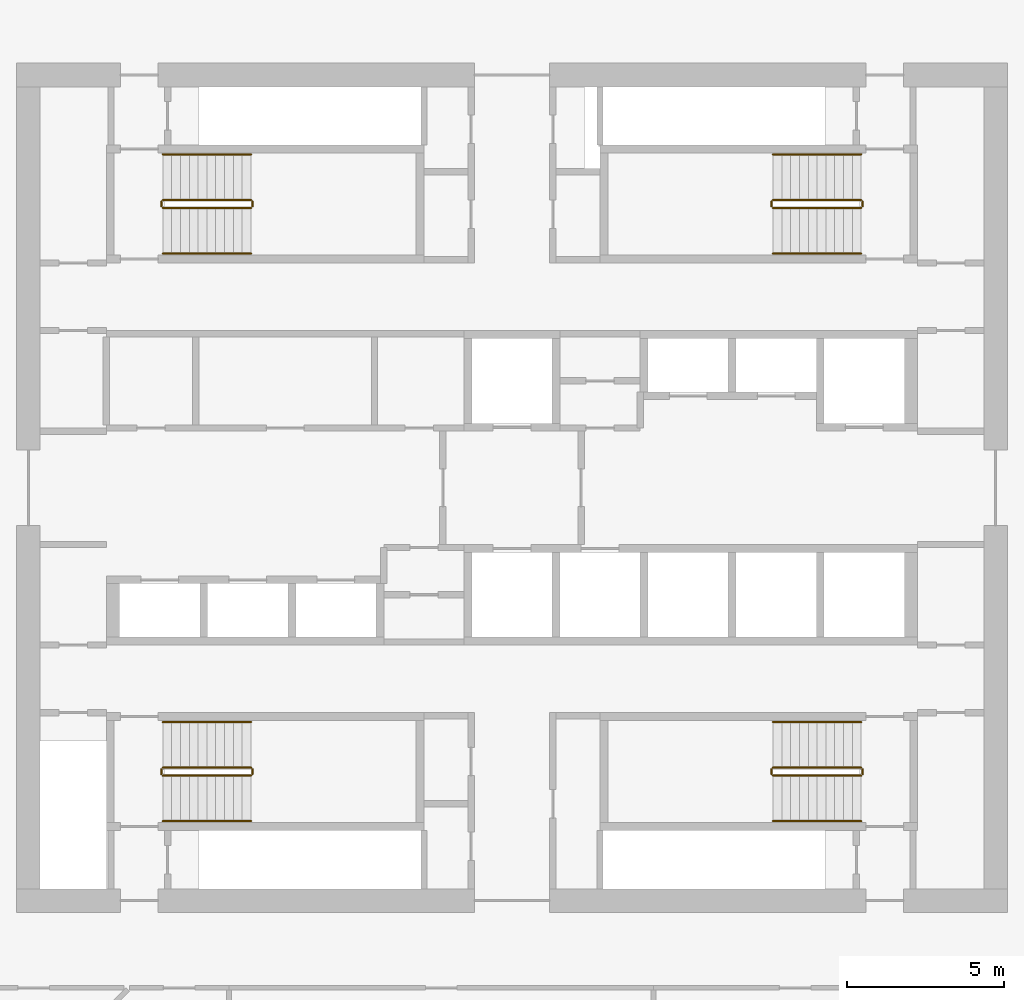
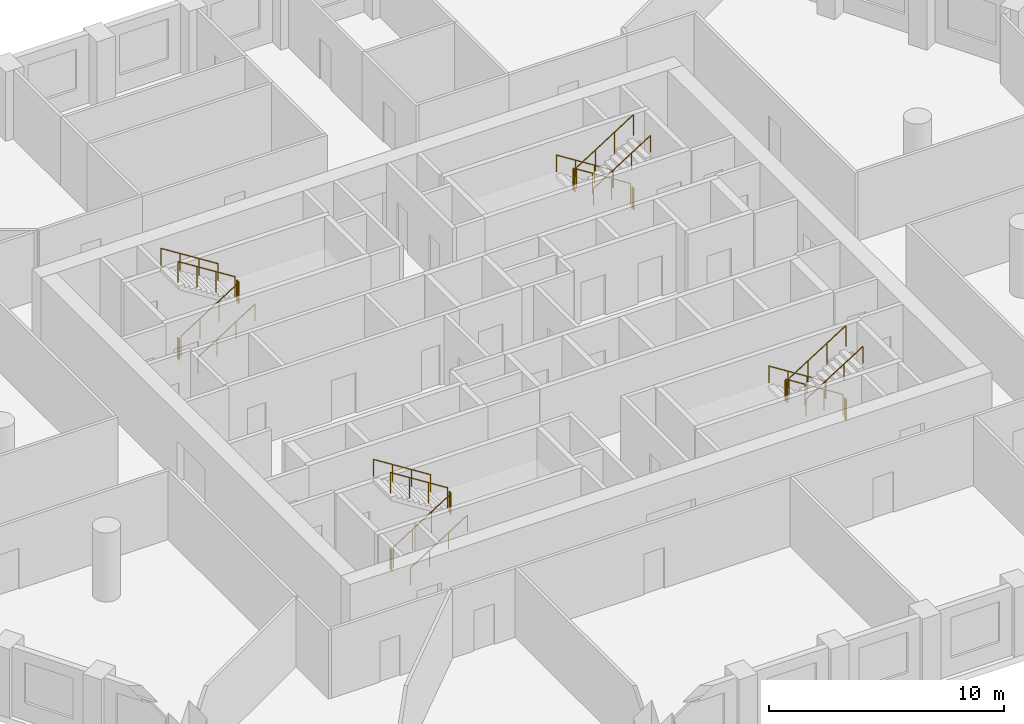
# One storey, part 9 of 9: 24 railings.
"""IFC4 building model written with IfcOpenShell, lengths in metres."""

from ifc_helpers import new_model, si_unit, direction, frame, origin, origin_2d, place, context, subcontext, project, spatial, circle, extrude, material, type_object, element, save


model = new_model("IFC4")

# Units and contexts
model_context = context("Model", 3, precision=1e-05, world=origin(), true_north=direction((0.0, 1.0)))
body_context = subcontext(model_context, "Body", "Model", "MODEL_VIEW")
ifc_project = project(units=[si_unit("LENGTHUNIT", "METRE"), si_unit("AREAUNIT", "SQUARE_METRE"), si_unit("VOLUMEUNIT", "CUBIC_METRE"), si_unit("PLANEANGLEUNIT", "RADIAN"), si_unit("MASSUNIT", "GRAM", prefix="KILO")], contexts=[model_context])

# Site, building, storey
site_placement = place(None, origin())
site = spatial("IfcSite", under=ifc_project, at=site_placement, CompositionType="ELEMENT")
building_placement = place(site_placement, origin())
building = spatial("IfcBuilding", under=site, at=building_placement, Name="Dhurran Vertical Campus", CompositionType="ELEMENT")
storey_placement = place(building_placement, frame((0.0, 0.0, 159.89990234375)))
storey = spatial("IfcBuildingStorey", under=building, at=storey_placement, Name="L39", CompositionType="ELEMENT", Elevation=159.89990234375)

# Railings
ifc_material_1 = material(Name="Stainless steel balustrade", Category="steel")
railing_type_1 = type_object("IfcRailingType", Name="co-RL-GUARD-1100", PredefinedType="GUARDRAIL", material=ifc_material_1)
railing_1_placement = place(storey_placement, frame((-11.10009765625, 8.89990234375, 0.177490234375)))
element("IfcRailing", 1, at=railing_1_placement, inside=storey, type_object=railing_type_1, Name="L39 ST1 stair guard 1", PredefinedType="GUARDRAIL", context=body_context, shape_type="SweptSolid", body=[
    extrude(circle(Radius=0.02392578125, at=origin_2d()), frame((0.0, 0.0, 1.076171875), z_axis=(0.844908973607, 0.0, 0.534910110503), x_axis=(0.0, 1.0, 0.0)), (0.0, 0.0, 1.0), 3.31396484375),
    extrude(circle(Radius=0.02099609375, at=origin_2d()), origin(), (0.0, 0.0, 1.0), 1.052001953125),
    extrude(circle(Radius=0.02099609375, at=origin_2d()), frame((0.933349609375, 0.0, 0.5908203125)), (0.0, 0.0, 1.0), 1.052001953125),
    extrude(circle(Radius=0.02099609375, at=origin_2d()), frame((1.86669921875, 0.0, 1.181884765625)), (0.0, 0.0, 1.0), 1.052001953125),
    extrude(circle(Radius=0.02099609375, at=origin_2d()), frame((2.800048828125, 0.0, 1.772705078125)), (0.0, 0.0, 1.0), 1.052001953125),
])
railing_2_placement = place(storey_placement, frame((-8.25, 8.949951171875, 1.9501953125)))
element("IfcRailing", 2, at=railing_2_placement, inside=storey, type_object=railing_type_1, Name="L39 ST1 stair guard 2", PredefinedType="GUARDRAIL", context=body_context, shape_type="SweptSolid", body=[
    extrude(circle(Radius=0.02392578125, at=origin_2d()), frame((0.0, 0.0, 1.076171875), z_axis=(0.0, 1.0, 0.0), x_axis=(-1.0, 0.0, 0.0)), (0.0, 0.0, 1.0), 0.150146484375),
    extrude(circle(Radius=0.02099609375, at=origin_2d()), origin(), (0.0, 0.0, 1.0), 1.052001953125),
    extrude(circle(Radius=0.02099609375, at=origin_2d()), frame((0.0, 0.150146484375, 0.0)), (0.0, 0.0, 1.0), 1.052001953125),
])
railing_3_placement = place(storey_placement, frame((-8.300048828125, 9.14990234375, 2.12744140625)))
element("IfcRailing", 3, at=railing_3_placement, inside=storey, type_object=railing_type_1, Name="L39 ST1 stair guard 3", PredefinedType="GUARDRAIL", context=body_context, shape_type="SweptSolid", body=[
    extrude(circle(Radius=0.02392578125, at=origin_2d()), frame((0.0, 0.0, 1.076171875), z_axis=(-0.844908973607, 0.0, 0.534910110503), x_axis=(0.0, -1.0, 0.0)), (0.0, 0.0, 1.0), 3.31396484375),
    extrude(circle(Radius=0.02099609375, at=origin_2d()), origin(), (0.0, 0.0, 1.0), 1.052001953125),
    extrude(circle(Radius=0.02099609375, at=origin_2d()), frame((-0.933349609375, 0.0, 0.5908203125)), (0.0, 0.0, 1.0), 1.052001953125),
    extrude(circle(Radius=0.02099609375, at=origin_2d()), frame((-1.86669921875, 0.0, 1.181884765625)), (0.0, 0.0, 1.0), 1.052001953125),
    extrude(circle(Radius=0.02099609375, at=origin_2d()), frame((-2.800048828125, 0.0, 1.772705078125)), (0.0, 0.0, 1.0), 1.052001953125),
])
railing_4_placement = place(storey_placement, frame((-11.14990234375, 8.949951171875, 0.0)))
element("IfcRailing", 4, at=railing_4_placement, inside=storey, type_object=railing_type_1, Name="L39 ST1 stair guard 4", PredefinedType="GUARDRAIL", context=body_context, shape_type="SweptSolid", body=[
    extrude(circle(Radius=0.02392578125, at=origin_2d()), frame((0.0, 0.0, 1.076171875), z_axis=(0.0, 1.0, 0.0), x_axis=(-1.0, 0.0, 0.0)), (0.0, 0.0, 1.0), 0.150146484375),
    extrude(circle(Radius=0.02099609375, at=origin_2d()), origin(), (0.0, 0.0, 1.0), 1.052001953125),
    extrude(circle(Radius=0.02099609375, at=origin_2d()), frame((0.0, 0.150146484375, 0.0)), (0.0, 0.0, 1.0), 1.052001953125),
])
railing_5_placement = place(storey_placement, frame((11.10009765625, 9.14990234375, 0.177490234375)))
element("IfcRailing", 5, at=railing_5_placement, inside=storey, type_object=railing_type_1, Name="L39 ST2 stair guard 1", PredefinedType="GUARDRAIL", context=body_context, shape_type="SweptSolid", body=[
    extrude(circle(Radius=0.02392578125, at=origin_2d()), frame((0.0, 0.0, 1.076171875), z_axis=(-0.844908973607, 0.0, 0.534910110503), x_axis=(0.0, -1.0, 0.0)), (0.0, 0.0, 1.0), 3.31396484375),
    extrude(circle(Radius=0.02099609375, at=origin_2d()), origin(), (0.0, 0.0, 1.0), 1.052001953125),
    extrude(circle(Radius=0.02099609375, at=origin_2d()), frame((-0.933349609375, 0.0, 0.5908203125)), (0.0, 0.0, 1.0), 1.052001953125),
    extrude(circle(Radius=0.02099609375, at=origin_2d()), frame((-1.86669921875, 0.0, 1.181884765625)), (0.0, 0.0, 1.0), 1.052001953125),
    extrude(circle(Radius=0.02099609375, at=origin_2d()), frame((-2.800048828125, 0.0, 1.772705078125)), (0.0, 0.0, 1.0), 1.052001953125),
])
railing_6_placement = place(storey_placement, frame((8.25, 9.10009765625, 1.9501953125)))
element("IfcRailing", 6, at=railing_6_placement, inside=storey, type_object=railing_type_1, Name="L39 ST2 stair guard 2", PredefinedType="GUARDRAIL", context=body_context, shape_type="SweptSolid", body=[
    extrude(circle(Radius=0.02392578125, at=origin_2d()), frame((0.0, 0.0, 1.076171875), z_axis=(0.0, -1.0, 0.0), x_axis=(1.0, 0.0, 0.0)), (0.0, 0.0, 1.0), 0.150146484375),
    extrude(circle(Radius=0.02099609375, at=origin_2d()), origin(), (0.0, 0.0, 1.0), 1.052001953125),
    extrude(circle(Radius=0.02099609375, at=origin_2d()), frame((0.0, -0.150146484375, 0.0)), (0.0, 0.0, 1.0), 1.052001953125),
])
railing_7_placement = place(storey_placement, frame((8.300048828125, 8.89990234375, 2.12744140625)))
element("IfcRailing", 7, at=railing_7_placement, inside=storey, type_object=railing_type_1, Name="L39 ST2 stair guard 3", PredefinedType="GUARDRAIL", context=body_context, shape_type="SweptSolid", body=[
    extrude(circle(Radius=0.02392578125, at=origin_2d()), frame((0.0, 0.0, 1.076171875), z_axis=(0.844908973607, 0.0, 0.534910110503), x_axis=(0.0, 1.0, 0.0)), (0.0, 0.0, 1.0), 3.31396484375),
    extrude(circle(Radius=0.02099609375, at=origin_2d()), origin(), (0.0, 0.0, 1.0), 1.052001953125),
    extrude(circle(Radius=0.02099609375, at=origin_2d()), frame((0.933349609375, 0.0, 0.5908203125)), (0.0, 0.0, 1.0), 1.052001953125),
    extrude(circle(Radius=0.02099609375, at=origin_2d()), frame((1.86669921875, 0.0, 1.181884765625)), (0.0, 0.0, 1.0), 1.052001953125),
    extrude(circle(Radius=0.02099609375, at=origin_2d()), frame((2.800048828125, 0.0, 1.772705078125)), (0.0, 0.0, 1.0), 1.052001953125),
])
railing_8_placement = place(storey_placement, frame((11.14990234375, 9.10009765625, 0.0)))
element("IfcRailing", 8, at=railing_8_placement, inside=storey, type_object=railing_type_1, Name="L39 ST2 stair guard 4", PredefinedType="GUARDRAIL", context=body_context, shape_type="SweptSolid", body=[
    extrude(circle(Radius=0.02392578125, at=origin_2d()), frame((0.0, 0.0, 1.076171875), z_axis=(0.0, -1.0, 0.0), x_axis=(1.0, 0.0, 0.0)), (0.0, 0.0, 1.0), 0.150146484375),
    extrude(circle(Radius=0.02099609375, at=origin_2d()), origin(), (0.0, 0.0, 1.0), 1.052001953125),
    extrude(circle(Radius=0.02099609375, at=origin_2d()), frame((0.0, -0.150146484375, 0.0)), (0.0, 0.0, 1.0), 1.052001953125),
])
railing_9_placement = place(storey_placement, frame((-11.10009765625, -9.14990234375, 0.177490234375)))
element("IfcRailing", 9, at=railing_9_placement, inside=storey, type_object=railing_type_1, Name="L39 ST3 stair guard 1", PredefinedType="GUARDRAIL", context=body_context, shape_type="SweptSolid", body=[
    extrude(circle(Radius=0.02392578125, at=origin_2d()), frame((0.0, 0.0, 1.076171875), z_axis=(0.844908973607, 0.0, 0.534910110503), x_axis=(0.0, 1.0, 0.0)), (0.0, 0.0, 1.0), 3.31396484375),
    extrude(circle(Radius=0.02099609375, at=origin_2d()), origin(), (0.0, 0.0, 1.0), 1.052001953125),
    extrude(circle(Radius=0.02099609375, at=origin_2d()), frame((0.933349609375, 0.0, 0.5908203125)), (0.0, 0.0, 1.0), 1.052001953125),
    extrude(circle(Radius=0.02099609375, at=origin_2d()), frame((1.86669921875, 0.0, 1.181884765625)), (0.0, 0.0, 1.0), 1.052001953125),
    extrude(circle(Radius=0.02099609375, at=origin_2d()), frame((2.800048828125, 0.0, 1.772705078125)), (0.0, 0.0, 1.0), 1.052001953125),
])
railing_10_placement = place(storey_placement, frame((-8.25, -9.10009765625, 1.9501953125)))
element("IfcRailing", 10, at=railing_10_placement, inside=storey, type_object=railing_type_1, Name="L39 ST3 stair guard 2", PredefinedType="GUARDRAIL", context=body_context, shape_type="SweptSolid", body=[
    extrude(circle(Radius=0.02392578125, at=origin_2d()), frame((0.0, 0.0, 1.076171875), z_axis=(0.0, 1.0, 0.0), x_axis=(-1.0, 0.0, 0.0)), (0.0, 0.0, 1.0), 0.150146484375),
    extrude(circle(Radius=0.02099609375, at=origin_2d()), origin(), (0.0, 0.0, 1.0), 1.052001953125),
    extrude(circle(Radius=0.02099609375, at=origin_2d()), frame((0.0, 0.150146484375, 0.0)), (0.0, 0.0, 1.0), 1.052001953125),
])
railing_11_placement = place(storey_placement, frame((-8.300048828125, -8.89990234375, 2.12744140625)))
element("IfcRailing", 11, at=railing_11_placement, inside=storey, type_object=railing_type_1, Name="L39 ST3 stair guard 3", PredefinedType="GUARDRAIL", context=body_context, shape_type="SweptSolid", body=[
    extrude(circle(Radius=0.02392578125, at=origin_2d()), frame((0.0, 0.0, 1.076171875), z_axis=(-0.844908973607, 0.0, 0.534910110503), x_axis=(0.0, -1.0, 0.0)), (0.0, 0.0, 1.0), 3.31396484375),
    extrude(circle(Radius=0.02099609375, at=origin_2d()), origin(), (0.0, 0.0, 1.0), 1.052001953125),
    extrude(circle(Radius=0.02099609375, at=origin_2d()), frame((-0.933349609375, 0.0, 0.5908203125)), (0.0, 0.0, 1.0), 1.052001953125),
    extrude(circle(Radius=0.02099609375, at=origin_2d()), frame((-1.86669921875, 0.0, 1.181884765625)), (0.0, 0.0, 1.0), 1.052001953125),
    extrude(circle(Radius=0.02099609375, at=origin_2d()), frame((-2.800048828125, 0.0, 1.772705078125)), (0.0, 0.0, 1.0), 1.052001953125),
])
railing_12_placement = place(storey_placement, frame((-11.14990234375, -9.10009765625, 0.0)))
element("IfcRailing", 12, at=railing_12_placement, inside=storey, type_object=railing_type_1, Name="L39 ST3 stair guard 4", PredefinedType="GUARDRAIL", context=body_context, shape_type="SweptSolid", body=[
    extrude(circle(Radius=0.02392578125, at=origin_2d()), frame((0.0, 0.0, 1.076171875), z_axis=(0.0, 1.0, 0.0), x_axis=(-1.0, 0.0, 0.0)), (0.0, 0.0, 1.0), 0.150146484375),
    extrude(circle(Radius=0.02099609375, at=origin_2d()), origin(), (0.0, 0.0, 1.0), 1.052001953125),
    extrude(circle(Radius=0.02099609375, at=origin_2d()), frame((0.0, 0.150146484375, 0.0)), (0.0, 0.0, 1.0), 1.052001953125),
])
railing_13_placement = place(storey_placement, frame((11.10009765625, -8.89990234375, 0.177490234375)))
element("IfcRailing", 13, at=railing_13_placement, inside=storey, type_object=railing_type_1, Name="L39 ST4 stair guard 1", PredefinedType="GUARDRAIL", context=body_context, shape_type="SweptSolid", body=[
    extrude(circle(Radius=0.02392578125, at=origin_2d()), frame((0.0, 0.0, 1.076171875), z_axis=(-0.844908973607, 0.0, 0.534910110503), x_axis=(0.0, -1.0, 0.0)), (0.0, 0.0, 1.0), 3.31396484375),
    extrude(circle(Radius=0.02099609375, at=origin_2d()), origin(), (0.0, 0.0, 1.0), 1.052001953125),
    extrude(circle(Radius=0.02099609375, at=origin_2d()), frame((-0.933349609375, 0.0, 0.5908203125)), (0.0, 0.0, 1.0), 1.052001953125),
    extrude(circle(Radius=0.02099609375, at=origin_2d()), frame((-1.86669921875, 0.0, 1.181884765625)), (0.0, 0.0, 1.0), 1.052001953125),
    extrude(circle(Radius=0.02099609375, at=origin_2d()), frame((-2.800048828125, 0.0, 1.772705078125)), (0.0, 0.0, 1.0), 1.052001953125),
])
railing_14_placement = place(storey_placement, frame((8.25, -8.949951171875, 1.9501953125)))
element("IfcRailing", 14, at=railing_14_placement, inside=storey, type_object=railing_type_1, Name="L39 ST4 stair guard 2", PredefinedType="GUARDRAIL", context=body_context, shape_type="SweptSolid", body=[
    extrude(circle(Radius=0.02392578125, at=origin_2d()), frame((0.0, 0.0, 1.076171875), z_axis=(0.0, -1.0, 0.0), x_axis=(1.0, 0.0, 0.0)), (0.0, 0.0, 1.0), 0.150146484375),
    extrude(circle(Radius=0.02099609375, at=origin_2d()), origin(), (0.0, 0.0, 1.0), 1.052001953125),
    extrude(circle(Radius=0.02099609375, at=origin_2d()), frame((0.0, -0.150146484375, 0.0)), (0.0, 0.0, 1.0), 1.052001953125),
])
railing_15_placement = place(storey_placement, frame((8.300048828125, -9.14990234375, 2.12744140625)))
element("IfcRailing", 15, at=railing_15_placement, inside=storey, type_object=railing_type_1, Name="L39 ST4 stair guard 3", PredefinedType="GUARDRAIL", context=body_context, shape_type="SweptSolid", body=[
    extrude(circle(Radius=0.02392578125, at=origin_2d()), frame((0.0, 0.0, 1.076171875), z_axis=(0.844908973607, 0.0, 0.534910110503), x_axis=(0.0, 1.0, 0.0)), (0.0, 0.0, 1.0), 3.31396484375),
    extrude(circle(Radius=0.02099609375, at=origin_2d()), origin(), (0.0, 0.0, 1.0), 1.052001953125),
    extrude(circle(Radius=0.02099609375, at=origin_2d()), frame((0.933349609375, 0.0, 0.5908203125)), (0.0, 0.0, 1.0), 1.052001953125),
    extrude(circle(Radius=0.02099609375, at=origin_2d()), frame((1.86669921875, 0.0, 1.181884765625)), (0.0, 0.0, 1.0), 1.052001953125),
    extrude(circle(Radius=0.02099609375, at=origin_2d()), frame((2.800048828125, 0.0, 1.772705078125)), (0.0, 0.0, 1.0), 1.052001953125),
])
railing_16_placement = place(storey_placement, frame((11.14990234375, -8.949951171875, 0.0)))
element("IfcRailing", 16, at=railing_16_placement, inside=storey, type_object=railing_type_1, Name="L39 ST4 stair guard 4", PredefinedType="GUARDRAIL", context=body_context, shape_type="SweptSolid", body=[
    extrude(circle(Radius=0.02392578125, at=origin_2d()), frame((0.0, 0.0, 1.076171875), z_axis=(0.0, -1.0, 0.0), x_axis=(1.0, 0.0, 0.0)), (0.0, 0.0, 1.0), 0.150146484375),
    extrude(circle(Radius=0.02099609375, at=origin_2d()), origin(), (0.0, 0.0, 1.0), 1.052001953125),
    extrude(circle(Radius=0.02099609375, at=origin_2d()), frame((0.0, -0.150146484375, 0.0)), (0.0, 0.0, 1.0), 1.052001953125),
])
ifc_material_2 = material(Name="Stainless steel handrail", Category="steel")
railing_type_2 = type_object("IfcRailingType", Name="co-RL-HANDRAIL-900", PredefinedType="HANDRAIL", material=ifc_material_2)
railing_17_placement = place(storey_placement, frame((-11.10009765625, 7.449951171875, 0.177490234375)))
element("IfcRailing", 17, at=railing_17_placement, inside=storey, type_object=railing_type_2, Name="L39 ST1 stair handrail 1", PredefinedType="HANDRAIL", context=body_context, shape_type="SweptSolid", body=[
    extrude(circle(Radius=0.02392578125, at=origin_2d()), frame((0.0, 0.0, 0.8759765625), z_axis=(0.844908973607, 0.0, 0.534910110503), x_axis=(0.0, 1.0, 0.0)), (0.0, 0.0, 1.0), 3.31396484375),
    extrude(circle(Radius=0.02099609375, at=origin_2d()), origin(), (0.0, 0.0, 1.0), 0.851806640625),
    extrude(circle(Radius=0.02099609375, at=origin_2d()), frame((0.933349609375, 0.0, 0.5908203125)), (0.0, 0.0, 1.0), 0.851806640625),
    extrude(circle(Radius=0.02099609375, at=origin_2d()), frame((1.86669921875, 0.0, 1.181884765625)), (0.0, 0.0, 1.0), 0.851806640625),
    extrude(circle(Radius=0.02099609375, at=origin_2d()), frame((2.800048828125, 0.0, 1.772705078125)), (0.0, 0.0, 1.0), 0.851806640625),
])
for number, where, name in (
    (18, (-8.300048828125, 10.60009765625, 2.12744140625), "L39 ST1 stair handrail 2"),
    (19, (11.10009765625, 10.60009765625, 0.177490234375), "L39 ST2 stair handrail 1"),
):
    element("IfcRailing", number, at=place(storey_placement, frame(where)), inside=storey, type_object=railing_type_2, Name=name, PredefinedType="HANDRAIL", context=body_context, shape_type="SweptSolid", body=[
        extrude(circle(Radius=0.02392578125, at=origin_2d()), frame((0.0, 0.0, 0.8759765625), z_axis=(-0.844908973607, 0.0, 0.534910110503), x_axis=(0.0, -1.0, 0.0)), (0.0, 0.0, 1.0), 3.31396484375),
        extrude(circle(Radius=0.02099609375, at=origin_2d()), origin(), (0.0, 0.0, 1.0), 0.851806640625),
        extrude(circle(Radius=0.02099609375, at=origin_2d()), frame((-0.933349609375, 0.0, 0.5908203125)), (0.0, 0.0, 1.0), 0.851806640625),
        extrude(circle(Radius=0.02099609375, at=origin_2d()), frame((-1.86669921875, 0.0, 1.181884765625)), (0.0, 0.0, 1.0), 0.851806640625),
        extrude(circle(Radius=0.02099609375, at=origin_2d()), frame((-2.800048828125, 0.0, 1.772705078125)), (0.0, 0.0, 1.0), 0.851806640625),
    ])
for number, where, name in (
    (20, (8.300048828125, 7.449951171875, 2.12744140625), "L39 ST2 stair handrail 2"),
    (21, (-11.10009765625, -10.60009765625, 0.177490234375), "L39 ST3 stair handrail 1"),
):
    element("IfcRailing", number, at=place(storey_placement, frame(where)), inside=storey, type_object=railing_type_2, Name=name, PredefinedType="HANDRAIL", context=body_context, shape_type="SweptSolid", body=[
        extrude(circle(Radius=0.02392578125, at=origin_2d()), frame((0.0, 0.0, 0.8759765625), z_axis=(0.844908973607, 0.0, 0.534910110503), x_axis=(0.0, 1.0, 0.0)), (0.0, 0.0, 1.0), 3.31396484375),
        extrude(circle(Radius=0.02099609375, at=origin_2d()), origin(), (0.0, 0.0, 1.0), 0.851806640625),
        extrude(circle(Radius=0.02099609375, at=origin_2d()), frame((0.933349609375, 0.0, 0.5908203125)), (0.0, 0.0, 1.0), 0.851806640625),
        extrude(circle(Radius=0.02099609375, at=origin_2d()), frame((1.86669921875, 0.0, 1.181884765625)), (0.0, 0.0, 1.0), 0.851806640625),
        extrude(circle(Radius=0.02099609375, at=origin_2d()), frame((2.800048828125, 0.0, 1.772705078125)), (0.0, 0.0, 1.0), 0.851806640625),
    ])
for number, where, name in (
    (22, (-8.300048828125, -7.449951171875, 2.12744140625), "L39 ST3 stair handrail 2"),
    (23, (11.10009765625, -7.449951171875, 0.177490234375), "L39 ST4 stair handrail 1"),
):
    element("IfcRailing", number, at=place(storey_placement, frame(where)), inside=storey, type_object=railing_type_2, Name=name, PredefinedType="HANDRAIL", context=body_context, shape_type="SweptSolid", body=[
        extrude(circle(Radius=0.02392578125, at=origin_2d()), frame((0.0, 0.0, 0.8759765625), z_axis=(-0.844908973607, 0.0, 0.534910110503), x_axis=(0.0, -1.0, 0.0)), (0.0, 0.0, 1.0), 3.31396484375),
        extrude(circle(Radius=0.02099609375, at=origin_2d()), origin(), (0.0, 0.0, 1.0), 0.851806640625),
        extrude(circle(Radius=0.02099609375, at=origin_2d()), frame((-0.933349609375, 0.0, 0.5908203125)), (0.0, 0.0, 1.0), 0.851806640625),
        extrude(circle(Radius=0.02099609375, at=origin_2d()), frame((-1.86669921875, 0.0, 1.181884765625)), (0.0, 0.0, 1.0), 0.851806640625),
        extrude(circle(Radius=0.02099609375, at=origin_2d()), frame((-2.800048828125, 0.0, 1.772705078125)), (0.0, 0.0, 1.0), 0.851806640625),
    ])
railing_18_placement = place(storey_placement, frame((8.300048828125, -10.60009765625, 2.12744140625)))
element("IfcRailing", 24, at=railing_18_placement, inside=storey, type_object=railing_type_2, Name="L39 ST4 stair handrail 2", PredefinedType="HANDRAIL", context=body_context, shape_type="SweptSolid", body=[
    extrude(circle(Radius=0.02392578125, at=origin_2d()), frame((0.0, 0.0, 0.8759765625), z_axis=(0.844908973607, 0.0, 0.534910110503), x_axis=(0.0, 1.0, 0.0)), (0.0, 0.0, 1.0), 3.31396484375),
    extrude(circle(Radius=0.02099609375, at=origin_2d()), origin(), (0.0, 0.0, 1.0), 0.851806640625),
    extrude(circle(Radius=0.02099609375, at=origin_2d()), frame((0.933349609375, 0.0, 0.5908203125)), (0.0, 0.0, 1.0), 0.851806640625),
    extrude(circle(Radius=0.02099609375, at=origin_2d()), frame((1.86669921875, 0.0, 1.181884765625)), (0.0, 0.0, 1.0), 0.851806640625),
    extrude(circle(Radius=0.02099609375, at=origin_2d()), frame((2.800048828125, 0.0, 1.772705078125)), (0.0, 0.0, 1.0), 0.851806640625),
])

save(model, "model.ifc")
